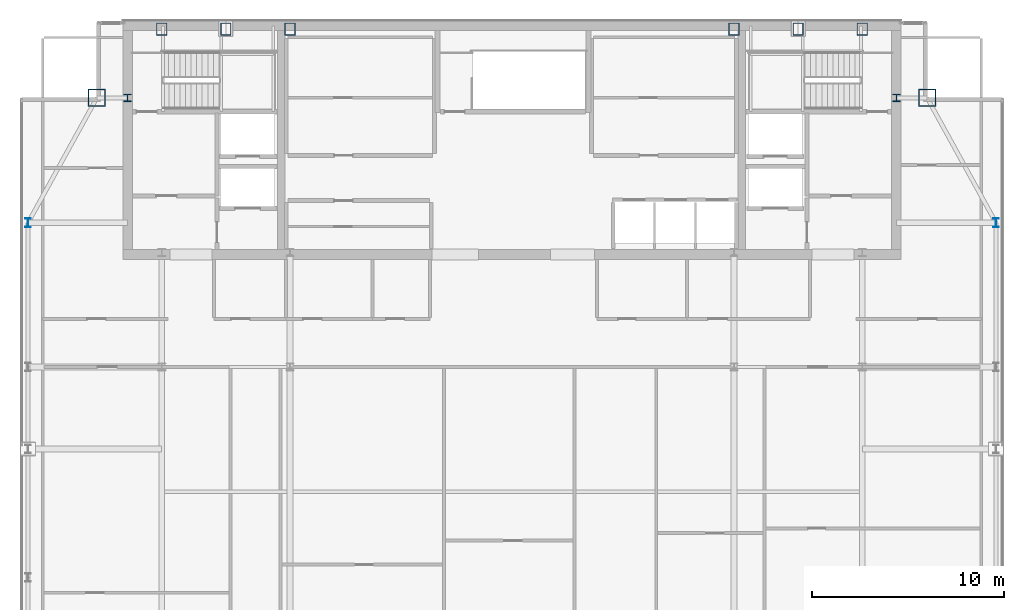
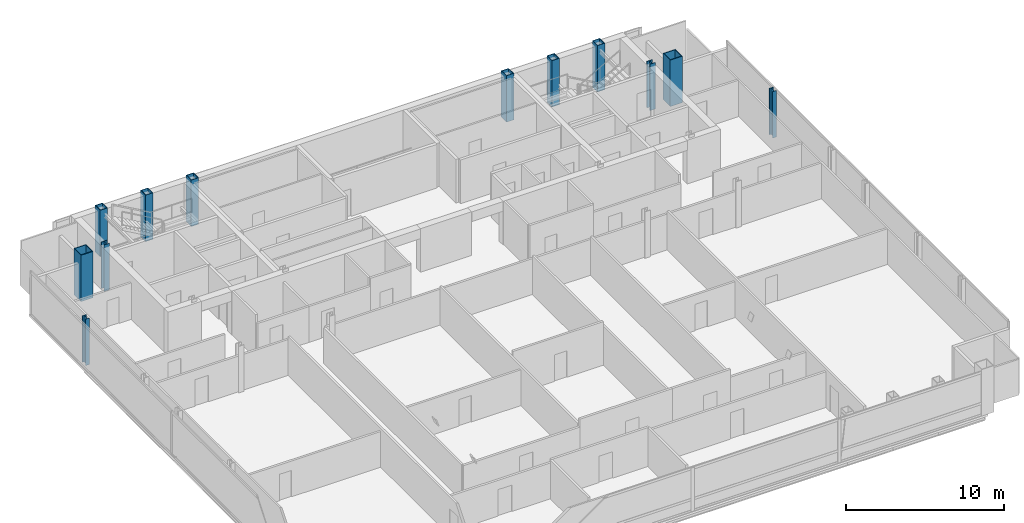
# One storey, part 3 of 24: 12 columns.
"""IFC4 building model written with IfcOpenShell, lengths in metres."""

from ifc_helpers import new_model, si_unit, direction, frame, origin, origin_2d, place, context, subcontext, project, spatial, hollow_rectangle, i_section, extrude, material, material_profile, profile_set, type_object, element, save


model = new_model("IFC4")

# Units and contexts
model_context = context("Model", 3, precision=1e-05, world=origin(), true_north=direction((0.0, 1.0)))
body_context = subcontext(model_context, "Body", "Model", "MODEL_VIEW")
ifc_project = project(units=[si_unit("LENGTHUNIT", "METRE"), si_unit("AREAUNIT", "SQUARE_METRE"), si_unit("VOLUMEUNIT", "CUBIC_METRE"), si_unit("PLANEANGLEUNIT", "RADIAN"), si_unit("MASSUNIT", "GRAM", prefix="KILO")], contexts=[model_context])

# Site, building, storey
site_placement = place(None, origin())
site = spatial("IfcSite", under=ifc_project, at=site_placement, CompositionType="ELEMENT")
building_placement = place(site_placement, origin())
building = spatial("IfcBuilding", under=site, at=building_placement, Name="Khoronbel Lancet Exchange", CompositionType="ELEMENT")
storey_placement = place(building_placement, frame((0.0, 0.0, 347.0)))
storey = spatial("IfcBuildingStorey", under=building, at=storey_placement, Name="L90", CompositionType="ELEMENT", Elevation=347.0)

# Columns
ifc_material_1 = material(Name="Steel S460", Category="steel")
ifc_material_profile_1 = material_profile(ifc_material_1, hollow_rectangle(XDim=0.550048828125, YDim=0.64990234375, WallThickness=0.0400390625, at=origin_2d()), Name="BOX 650x550x40")
ifc_profile_set_1 = profile_set([ifc_material_profile_1], Name="Steel S460")
column_type_1 = type_object("IfcColumnType", Name="COL-EC4", PredefinedType="COLUMN", material=ifc_profile_set_1)
for number, where, z_axis, x_axis, name in (
    (1, (18.22509765625, 53.280029296875, 0.0), (0.0, 0.0, 1.0), (1.0, 0.0, 0.0), "Structural column NC-W1 L90"),
    (2, (21.5625, 53.280029296875, 0.0), (0.0, 0.0, 1.0), (1.0, 0.0, 0.0), "Structural column NC-WM L90"),
    (3, (24.89990234375, 53.280029296875, 0.0), (0.0, 0.0, 1.0), (1.0, 0.0, 0.0), "Structural column NC-W2 L90"),
    (4, (48.0, 53.280029296875, 0.0), (0.0, 0.0, 1.0), (1.0, 0.0, 0.0), "Structural column NC-E1 L90"),
    (5, (51.33740234375, 53.280029296875, 0.0), (0.0, 0.0, 1.0), (1.0, 0.0, 0.0), "Structural column NC-EM L90"),
    (6, (54.675048828125, 53.280029296875, 0.0), (0.0, 0.0, 1.0), (1.0, 0.0, 0.0), "Structural column NC-E2 L90"),
):
    element("IfcColumn", number, at=place(storey_placement, frame(where, z_axis=z_axis, x_axis=x_axis)), inside=storey, type_object=column_type_1, Name=name, PredefinedType="COLUMN", context=body_context, shape_type="SweptSolid", body=[
        extrude(hollow_rectangle(XDim=0.550048828125, YDim=0.64990234375, WallThickness=0.0400390625, at=origin_2d()), origin(), (0.0, 0.0, 1.0), 3.60009765625),
    ])
ifc_material_2 = material(Name="Steel S355", Category="steel")
ifc_material_profile_2 = material_profile(ifc_material_2, i_section(OverallWidth=0.39892578125, OverallDepth=0.39306640625, WebThickness=0.022705078125, FlangeThickness=0.03662109375, at=origin_2d()), Name="HD 400x287")
ifc_profile_set_2 = profile_set([ifc_material_profile_2], Name="Steel S355")
column_type_2 = type_object("IfcColumnType", Name="COL-IC4", PredefinedType="COLUMN", material=ifc_profile_set_2)
for number, where, z_axis, x_axis, name in (
    (7, (16.449951171875, 49.699951171875, 0.0), (0.0, 0.0, 1.0), (1.0, 0.0, 0.0), "Core-flank plumb transfer column CFW L90"),
    (8, (56.449951171875, 49.699951171875, 0.0), (0.0, 0.0, 1.0), (1.0, 0.0, 0.0), "Core-flank plumb transfer column CFE L90"),
):
    element("IfcColumn", number, at=place(storey_placement, frame(where, z_axis=z_axis, x_axis=x_axis)), inside=storey, type_object=column_type_2, Name=name, PredefinedType="COLUMN", context=body_context, shape_type="SweptSolid", body=[
        extrude(i_section(OverallWidth=0.39892578125, OverallDepth=0.39306640625, WebThickness=0.022705078125, FlangeThickness=0.03662109375, at=origin_2d()), origin(), (0.0, 0.0, 1.0), 3.60009765625),
    ])
ifc_material_profile_3 = material_profile(ifc_material_2, i_section(OverallWidth=0.300048828125, OverallDepth=0.449951171875, WebThickness=0.013916015625, FlangeThickness=0.02587890625, at=origin_2d()), Name="HEB 450")
ifc_profile_set_3 = profile_set([ifc_material_profile_3], Name="Steel S355")
column_type_3 = type_object("IfcColumnType", Name="COL-LC2", PredefinedType="COLUMN", material=ifc_profile_set_3)
for number, where, z_axis, x_axis, name in (
    (9, (11.27001953125, 43.199951171875, 0.0), (0.0, 0.0, 1.0), (1.0, 0.0, 0.0), "Structural column WC-4 L90"),
    (10, (61.6298828125, 43.199951171875, 0.0), (0.0, 0.0, 1.0), (1.0, 0.0, 0.0), "Structural column EC-4 L90"),
):
    element("IfcColumn", number, at=place(storey_placement, frame(where, z_axis=z_axis, x_axis=x_axis)), inside=storey, type_object=column_type_3, Name=name, PredefinedType="COLUMN", context=body_context, shape_type="SweptSolid", body=[
        extrude(i_section(OverallWidth=0.300048828125, OverallDepth=0.449951171875, WebThickness=0.013916015625, FlangeThickness=0.02587890625, at=origin_2d()), origin(), (0.0, 0.0, 1.0), 3.60009765625),
    ])
ifc_material_profile_4 = material_profile(ifc_material_1, hollow_rectangle(XDim=0.89990234375, YDim=0.89990234375, WallThickness=0.050048828125, at=origin_2d()), Name="BOX 900x900x50")
ifc_profile_set_4 = profile_set([ifc_material_profile_4], Name="Steel S460")
column_type_4 = type_object("IfcColumnType", Name="COL-MC7", PredefinedType="COLUMN", material=ifc_profile_set_4)
for number, where, z_axis, x_axis, name in (
    (11, (58.050048828125, 49.699951171875, 0.0), (0.0, 0.0, 1.0), (1.0, 0.0, 0.0), "Structural column MC-NE L90"),
    (12, (14.85009765625, 49.699951171875, 0.0), (0.0, 0.0, 1.0), (1.0, 0.0, 0.0), "Structural column MC-NW L90"),
):
    element("IfcColumn", number, at=place(storey_placement, frame(where, z_axis=z_axis, x_axis=x_axis)), inside=storey, type_object=column_type_4, Name=name, PredefinedType="COLUMN", context=body_context, shape_type="SweptSolid", body=[
        extrude(hollow_rectangle(XDim=0.89990234375, YDim=0.89990234375, WallThickness=0.050048828125, at=origin_2d()), origin(), (0.0, 0.0, 1.0), 3.60009765625),
    ])

save(model, "model.ifc")
